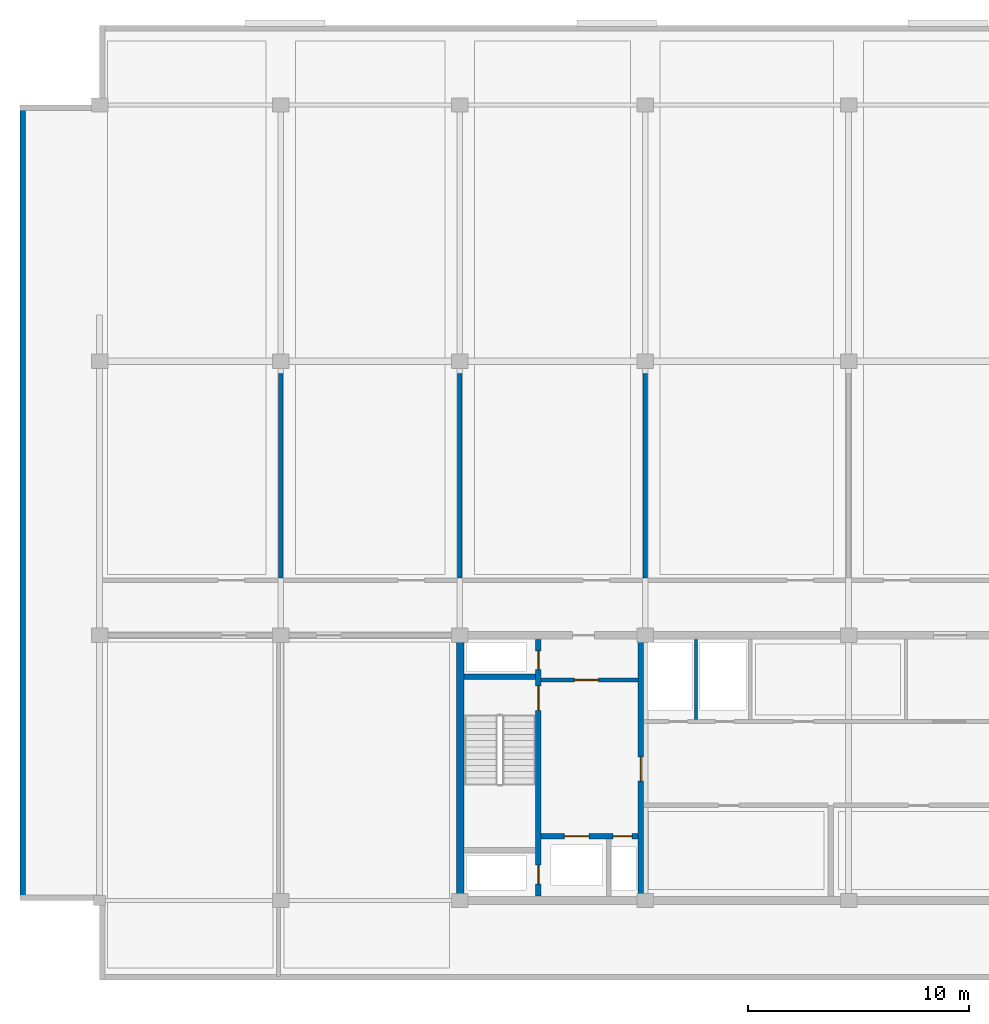
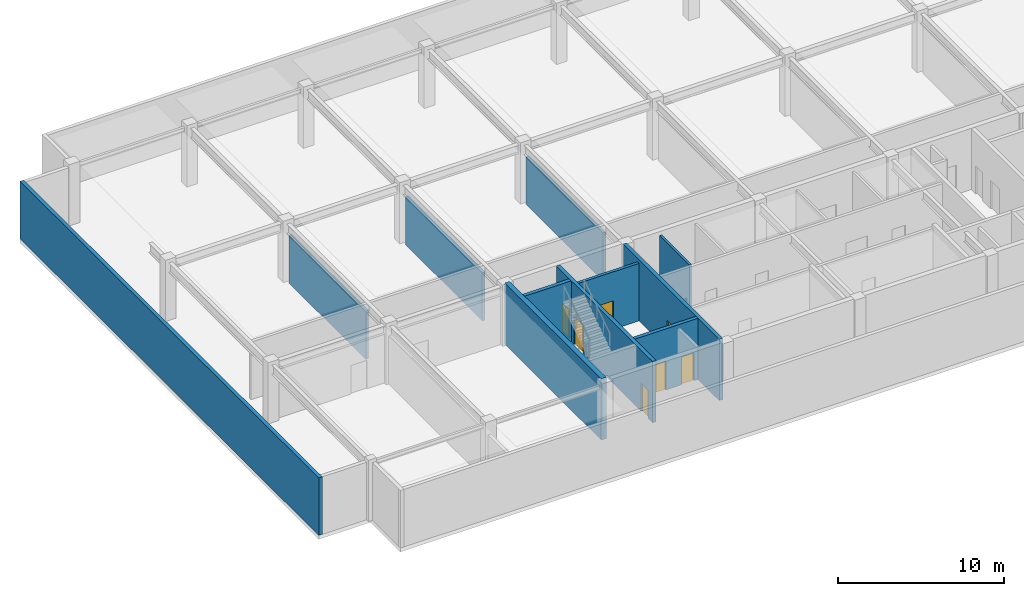
# One storey, part 3 of 9: 11 walls, 7 doors, 7 openings.
"""IFC4 building model written with IfcOpenShell, lengths in metres."""

import ifcopenshell
import ifcopenshell.guid

model = None  # the IFC model being written
_history = None  # IfcOwnerHistory: only IFC2X3 demands one
_inside = {}  # id of a spatial element -> (the spatial element, [elements in it])
_under = {}  # id of a project, library or spatial element -> (it, [spatial elements below it])
_declared = {}  # id of a project -> (the project, [libraries it declares])
_typed = {}  # id of a type object -> (the type object, [elements of that type])
_made_of = {}  # id of a material, layer set ... -> (it, [elements and type objects made of it])


def new_model(schema):
    """Start an empty IFC model of exactly this schema.

    Asked for "IFC4X3", IfcOpenShell would pick the latest addendum, in which some entities
    have other attributes; the version numbers below select the first issue.
    IFC2X3 requires an IfcOwnerHistory on every rooted entity: one is made here for all.
    """
    global model, _history
    if schema == "IFC4X3":
        model = ifcopenshell.file(schema_version=(4, 3, 0, 0))
    else:
        model = ifcopenshell.file(schema=schema)
    _inside.clear()
    _under.clear()
    _declared.clear()
    _typed.clear()
    _made_of.clear()
    _history = None
    if model.schema == "IFC2X3":
        org = make("IfcOrganization", Name="unknown")
        user = make(
            "IfcPersonAndOrganization",
            ThePerson=make("IfcPerson", FamilyName="unknown"),
            TheOrganization=org,
        )
        app = make(
            "IfcApplication",
            ApplicationDeveloper=org,
            Version="unknown",
            ApplicationFullName="unknown",
            ApplicationIdentifier="unknown",
        )
        _history = make(
            "IfcOwnerHistory",
            OwningUser=user,
            OwningApplication=app,
            ChangeAction="ADDED",
            CreationDate=0,
        )
    return model


def make(cls, **values):
    """One entity of the class cls with the attributes given. An attribute that is None is left unset."""
    return model.create_entity(
        cls, **{name: value for name, value in values.items() if value is not None}
    )


def rooted(cls, **values):
    """An entity with a GlobalId (a new one), such as an element, a storey or a relation."""
    return make(cls, GlobalId=ifcopenshell.guid.new(), OwnerHistory=_history, **values)


def si_unit(unit_type, name, prefix=None):
    """IfcSIUnit, for example si_unit("LENGTHUNIT", "METRE", prefix="MILLI")."""
    return make("IfcSIUnit", UnitType=unit_type, Prefix=prefix, Name=name)


def assignment(units):
    """IfcUnitAssignment: the units of a project."""
    return None if units is None else make("IfcUnitAssignment", Units=units)


def point(xyz):
    """IfcCartesianPoint."""
    return None if xyz is None else make("IfcCartesianPoint", Coordinates=xyz)


def direction(xyz):
    """IfcDirection."""
    return None if xyz is None else make("IfcDirection", DirectionRatios=xyz)


def frame(location, z_axis=None, x_axis=None):
    """IfcAxis2Placement3D, a coordinate frame: its origin and axes. An axis left out is left unset."""
    return make(
        "IfcAxis2Placement3D",
        Location=point(location),
        Axis=direction(z_axis),
        RefDirection=direction(x_axis),
    )


def frame_2d(location, x_axis=None):
    """IfcAxis2Placement2D, a coordinate frame in the plane: its origin and x axis."""
    return make(
        "IfcAxis2Placement2D", Location=point(location), RefDirection=direction(x_axis)
    )


def origin():
    """The frame at (0, 0, 0) with its axes left unset."""
    return frame((0.0, 0.0, 0.0))


def place(relative_to, where):
    """IfcLocalPlacement: puts the frame where relative to a parent placement (None: the world)."""
    return make(
        "IfcLocalPlacement", PlacementRelTo=relative_to, RelativePlacement=where
    )


def context(
    kind, dimensions, precision=None, world=None, true_north=None, identifier=None
):
    """IfcGeometricRepresentationContext, for example the 3D "Model" context."""
    return make(
        "IfcGeometricRepresentationContext",
        ContextIdentifier=identifier,
        ContextType=kind,
        CoordinateSpaceDimension=dimensions,
        Precision=precision,
        WorldCoordinateSystem=world,
        TrueNorth=true_north,
    )


def subcontext(parent, identifier, kind, view, scale=None):
    """IfcGeometricRepresentationSubContext, for example "Body" below "Model"."""
    return make(
        "IfcGeometricRepresentationSubContext",
        ContextIdentifier=identifier,
        ContextType=kind,
        ParentContext=parent,
        TargetScale=scale,
        TargetView=view,
    )


def project(units=None, contexts=None):
    """IfcProject with its units and contexts."""
    return rooted(
        "IfcProject",
        Name="project",
        RepresentationContexts=contexts,
        UnitsInContext=assignment(units),
    )


def spatial(cls, under=None, at=None, **own):
    """A site, building, storey or space (cls), placed at a placement, below another one or the project."""
    s = rooted(cls, ObjectPlacement=at, **own)
    if under is not None:
        _under.setdefault(under.id(), (under, []))[1].append(s)
    return s


def profile(cls, at=None, kind="AREA", **sizes):
    """A parametric profile (cls). Its sizes go by their IFC names, for example OverallWidth=200.0."""
    return make(cls, ProfileType=kind, Position=at, **sizes)


def rectangle(**sizes):
    """IfcRectangleProfileDef."""
    return profile("IfcRectangleProfileDef", **sizes)


def extrude(swept, where, along, depth):
    """IfcExtrudedAreaSolid: the profile swept, set in the frame where, extruded along a direction by depth."""
    return make(
        "IfcExtrudedAreaSolid",
        SweptArea=swept,
        Position=where,
        ExtrudedDirection=direction(along),
        Depth=depth,
    )


def shape(context_of_items, identifier, shape_type, items):
    """IfcShapeRepresentation: the items that make up one representation, for example the "Body"."""
    return make(
        "IfcShapeRepresentation",
        ContextOfItems=context_of_items,
        RepresentationIdentifier=identifier,
        RepresentationType=shape_type,
        Items=items,
    )


def material(Name=None, Category=None):
    """IfcMaterial."""
    return make("IfcMaterial", Name=Name, Category=Category)


def layer(
    of_material, thickness, ventilated=None, Name=None, Category=None, Priority=None
):
    """IfcMaterialLayer: one layer of a wall or slab, of a material (None: an air gap)."""
    return make(
        "IfcMaterialLayer",
        Material=of_material,
        LayerThickness=thickness,
        IsVentilated=ventilated,
        Name=Name,
        Category=Category,
        Priority=Priority,
    )


def layer_set(layers, Name=None):
    """IfcMaterialLayerSet."""
    return make("IfcMaterialLayerSet", MaterialLayers=layers, LayerSetName=Name)


def made_of(thing, what):
    """Note that an element or type object is made of a material, layer set ...; save() writes the relation."""
    if what is not None:
        _made_of.setdefault(what.id(), (what, []))[1].append(thing)
    return thing


def type_object(cls, material=None, **own):
    """A type object (cls), such as IfcWallType, which elements share."""
    return made_of(rooted(cls, **own), material)


def element(
    cls,
    number,
    at=None,
    inside=None,
    cuts=None,
    type_object=None,
    material=None,
    context=None,
    identifier="Body",
    shape_type=None,
    held_by="IfcProductDefinitionShape",
    body=None,
    shapes=None,
    **own,
):
    """One element of the class cls, such as IfcWall. Its Tag is "e" and its number.

    at: its placement. inside: the storey or other place that contains it. cuts: it is an
    opening in that element (IfcRelVoidsElement). A single representation is given by context,
    identifier, shape_type and body (its items); several are given by shapes. held_by: the class
    of the entity that holds the representations. save() writes the other relations.
    """
    e = rooted(cls, Tag="e%d" % number, ObjectPlacement=at, **own)
    if body is not None:
        shapes = [shape(context, identifier, shape_type, body)]
    if shapes is not None:
        e.Representation = make(held_by, Representations=shapes)
    if inside is not None:
        _inside.setdefault(inside.id(), (inside, []))[1].append(e)
    if cuts is not None:
        rooted(
            "IfcRelVoidsElement", RelatingBuildingElement=cuts, RelatedOpeningElement=e
        )
    if type_object is not None:
        _typed.setdefault(type_object.id(), (type_object, []))[1].append(e)
    return made_of(e, material)


def fill(opening, filler):
    """IfcRelFillsElement: the door or window that sits in an opening."""
    return rooted(
        "IfcRelFillsElement",
        RelatingOpeningElement=opening,
        RelatedBuildingElement=filler,
    )


def aggregate(whole, parts):
    """IfcRelAggregates: a whole, such as a stair, and the parts it consists of."""
    return rooted("IfcRelAggregates", RelatingObject=whole, RelatedObjects=parts)


def save(model, path):
    """Write the relations noted so far, then the file.

    IfcRelAggregates (storeys below a building ...), IfcRelContainedInSpatialStructure (elements
    in a storey), IfcRelDefinesByType, IfcRelAssociatesMaterial and IfcRelDeclares: one each for
    every whole, place, type object, material and project.
    """
    for whole, parts in _under.values():
        aggregate(whole, parts)
    for where, things in _inside.values():
        rooted(
            "IfcRelContainedInSpatialStructure",
            RelatedElements=things,
            RelatingStructure=where,
        )
    for kind, things in _typed.values():
        rooted("IfcRelDefinesByType", RelatedObjects=things, RelatingType=kind)
    for what, things in _made_of.values():
        rooted("IfcRelAssociatesMaterial", RelatedObjects=things, RelatingMaterial=what)
    for by, libraries in _declared.values():
        rooted("IfcRelDeclares", RelatingContext=by, RelatedDefinitions=libraries)
    model.write(path)


model = new_model("IFC4")

# Units and contexts
model_context = context("Model", 3, precision=1e-05, world=origin(), true_north=direction((0.0, 1.0)))
body_context = subcontext(model_context, "Body", "Model", "MODEL_VIEW")
ifc_project = project(units=[si_unit("LENGTHUNIT", "METRE"), si_unit("AREAUNIT", "SQUARE_METRE"), si_unit("VOLUMEUNIT", "CUBIC_METRE"), si_unit("PLANEANGLEUNIT", "RADIAN"), si_unit("MASSUNIT", "GRAM", prefix="KILO")], contexts=[model_context])

# Site, building, storey
site_placement = place(None, origin())
site = spatial("IfcSite", under=ifc_project, at=site_placement, CompositionType="ELEMENT")
building_placement = place(site_placement, origin())
building = spatial("IfcBuilding", under=site, at=building_placement, Name="Korimba Cascade Residences", CompositionType="ELEMENT")
storey_placement = place(building_placement, frame((0.0, 0.0, 259.699951171875)))
storey = spatial("IfcBuildingStorey", under=building, at=storey_placement, Name="L75", CompositionType="ELEMENT", Elevation=259.699951171875)

# Walls
ifc_material_1 = material(Name="Precast concrete C40/50", Category="concrete")
ifc_layer_1 = layer(ifc_material_1, 0.25)
ifc_layer_set_1 = layer_set([ifc_layer_1], Name="Precast concrete C40/50")
wall_type_1 = type_object("IfcWallType", Name="EW-PLNT-250", PredefinedType="SHEAR", material=ifc_layer_set_1)
wall_1_placement = place(storey_placement, frame((56.324951171875, 91.199951171875, 0.0), z_axis=(0.0, 0.0, 1.0), x_axis=(0.0, -1.0, 0.0)))
element("IfcWall", 1, at=wall_1_placement, inside=storey, type_object=wall_type_1, Name="L75 T1 Perimeter Stone Wall E09", PredefinedType="SHEAR", context=body_context, shape_type="SweptSolid", body=[
    extrude(rectangle(XDim=36.0, YDim=0.25, at=frame_2d((18.0, 0.0))), origin(), (0.0, 0.0, 1.0), 4.22998046875),
])
ifc_material_2 = material(Name="Concrete C65/80", Category="concrete")
ifc_layer_2 = layer(ifc_material_2, 0.35009765625)
ifc_layer_set_2 = layer_set([ifc_layer_2], Name="Concrete C65/80")
wall_type_2 = type_object("IfcWallType", Name="WAL-CORE-350", PredefinedType="SHEAR", material=ifc_layer_set_2)
wall_2_placement = place(storey_placement, frame((76.125, 55.375, 0.0), z_axis=(0.0, 0.0, 1.0), x_axis=(0.0, 1.0, 0.0)))
element("IfcWall", 2, at=wall_2_placement, inside=storey, type_object=wall_type_2, Name="L75 Core Shear Wall CW-L75-T1-W", PredefinedType="SHEAR", context=body_context, shape_type="SweptSolid", body=[
    extrude(rectangle(XDim=11.64990234375, YDim=0.35009765625, at=frame_2d((5.824951171875, 0.0))), origin(), (0.0, 0.0, 1.0), 4.5),
])
ifc_material_3 = material(Name="Insulated Acoustic Stud Partition", Category="gypsum")
ifc_layer_3 = layer(ifc_material_3, 0.14990234375)
ifc_layer_set_3 = layer_set([ifc_layer_3], Name="Insulated Acoustic Stud Partition")
wall_type_3 = type_object("IfcWallType", Name="WAL-PART-150", PredefinedType="PARTITIONING", material=ifc_layer_set_3)
wall_3_placement = place(storey_placement, frame((86.800048828125, 63.39990234375, 0.0), z_axis=(0.0, 0.0, 1.0), x_axis=(0.0, 1.0, 0.0)))
element("IfcWall", 3, at=wall_3_placement, inside=storey, type_object=wall_type_3, Name="L75 Partition Wall CW-L75-T1-ERDIV", PredefinedType="PARTITIONING", context=body_context, shape_type="SweptSolid", body=[
    extrude(rectangle(XDim=3.60009765625, YDim=0.14990234375, at=frame_2d((1.800048828125, 0.0))), origin(), (0.0, 0.0, 1.0), 4.22998046875),
])

# Wall, opening, door
ifc_material_4 = material(Name="Concrete C40/50", Category="concrete")
ifc_layer_4 = layer(ifc_material_4, 0.199951171875)
ifc_layer_set_4 = layer_set([ifc_layer_4], Name="Concrete C40/50")
wall_type_4 = type_object("IfcWallType", Name="WAL-PART-200", PredefinedType="PARTITIONING", material=ifc_layer_set_4)
wall_4_placement = place(storey_placement, frame((79.7900390625, 65.179931640625, 0.0), z_axis=(0.0, 0.0, 1.0), x_axis=(1.0, 0.0, 0.0)))
wall_4 = element("IfcWall", 4, at=wall_4_placement, inside=storey, type_object=wall_type_4, Name="L75 Partition Wall CW-L75-T1-FFLN", PredefinedType="PARTITIONING", context=body_context, shape_type="SweptSolid", body=[
    extrude(rectangle(XDim=4.389892578125, YDim=0.199951171875, at=frame_2d((2.19482421875, 0.0))), origin(), (0.0, 0.0, 1.0), 4.22998046875),
])
opening_1_placement = place(wall_4_placement, frame((1.5, 0.0, 0.0)))
opening_1 = element("IfcOpeningElement", 5, at=opening_1_placement, cuts=wall_4, Name="Opening D-FD1", PredefinedType="OPENING", context=body_context, shape_type="SweptSolid", body=[
    extrude(rectangle(XDim=1.10009765625, YDim=2.10009765625, at=frame_2d((0.550048828125, 1.050048828125))), frame((0.0, 0.10986328125, 0.0), z_axis=(0.0, -1.0, 0.0), x_axis=(1.0, 0.0, 0.0)), (0.0, 0.0, 1.0), 0.219970703125),
])
ifc_material_5 = material(Name="Fire-Rated Steel Core Door", Category="steel")
door_type_1 = type_object("IfcDoorType", Name="DR-FD120-1100", OperationType="NOTDEFINED", PredefinedType="DOOR", material=ifc_material_5)
door_1_placement = place(opening_1_placement, origin())
door_1 = element("IfcDoor", 6, at=door_1_placement, inside=storey, type_object=door_type_1, Name="L75 West Firefighting Lobby Door", OperationType="SINGLE_SWING_RIGHT", OverallHeight=2.10009765625, OverallWidth=1.10009765625, PredefinedType="DOOR", context=body_context, shape_type="SweptSolid", body=[
    extrude(rectangle(XDim=1.10009765625, YDim=2.10009765625, at=frame_2d((0.550048828125, 1.050048828125))), frame((0.0, 0.02490234375, 0.0), z_axis=(0.0, -1.0, 0.0), x_axis=(1.0, 0.0, 0.0)), (0.0, 0.0, 1.0), 0.050048828125),
])
fill(opening_1, door_1)

# Walls
for number, where, z_axis, x_axis, name in (
    (7, (68.0, 69.800048828125, 0.0), (0.0, 0.0, 1.0), (0.0, 1.0, 0.0), "L75 Partition Wall WAL-L75-T1-PD1"),
    (8, (76.10009765625, 69.800048828125, 0.0), (0.0, 0.0, 1.0), (0.0, 1.0, 0.0), "L75 Partition Wall WAL-L75-T1-PD2"),
    (9, (84.5, 69.800048828125, 0.0), (0.0, 0.0, 1.0), (0.0, 1.0, 0.0), "L75 Partition Wall WAL-L75-T1-PD3"),
):
    element("IfcWall", number, at=place(storey_placement, frame(where, z_axis=z_axis, x_axis=x_axis)), inside=storey, type_object=wall_type_4, Name=name, PredefinedType="PARTITIONING", context=body_context, shape_type="SweptSolid", body=[
        extrude(rectangle(XDim=9.25, YDim=0.199951171875, at=frame_2d((4.625, 0.0))), origin(), (0.0, 0.0, 1.0), 3.537109375),
    ])

# Wall, openings, doors
ifc_material_6 = material(Name="Concrete C50/60", Category="concrete")
ifc_layer_5 = layer(ifc_material_6, 0.25)
ifc_layer_set_5 = layer_set([ifc_layer_5], Name="Concrete C50/60")
wall_type_5 = type_object("IfcWallType", Name="WAL-SHAFT-250", PredefinedType="SHEAR", material=ifc_layer_set_5)
wall_5_placement = place(storey_placement, frame((79.6650390625, 55.39990234375, 0.0), z_axis=(0.0, 0.0, 1.0), x_axis=(0.0, 1.0, 0.0)))
wall_5 = element("IfcWall", 10, at=wall_5_placement, inside=storey, type_object=wall_type_5, Name="L75 Core Shear Wall CW-L75-T1-STW1E", PredefinedType="SHEAR", context=body_context, shape_type="SweptSolid", body=[
    extrude(rectangle(XDim=11.60009765625, YDim=0.25, at=frame_2d((5.800048828125, 0.0))), origin(), (0.0, 0.0, 1.0), 4.5),
])
opening_2_placement = place(wall_5_placement, frame((0.550048828125, 0.0, 0.0)))
opening_2 = element("IfcOpeningElement", 11, at=opening_2_placement, cuts=wall_5, Name="Opening D-RS1", PredefinedType="OPENING", context=body_context, shape_type="SweptSolid", body=[
    extrude(rectangle(XDim=0.85009765625, YDim=2.050048828125, at=frame_2d((0.425048828125, 1.02490234375))), frame((0.0, 0.135009765625, 0.0), z_axis=(0.0, -1.0, 0.0), x_axis=(1.0, 0.0, 0.0)), (0.0, 0.0, 1.0), 0.27001953125),
])
opening_3_placement = place(wall_5_placement, frame((8.39990234375, 0.0, 0.0)))
opening_3 = element("IfcOpeningElement", 12, at=opening_3_placement, cuts=wall_5, Name="Opening D-FD1", PredefinedType="OPENING", context=body_context, shape_type="SweptSolid", body=[
    extrude(rectangle(XDim=1.10009765625, YDim=2.10009765625, at=frame_2d((0.550048828125, 1.050048828125))), frame((0.0, 0.135009765625, 0.0), z_axis=(0.0, -1.0, 0.0), x_axis=(1.0, 0.0, 0.0)), (0.0, 0.0, 1.0), 0.27001953125),
])
opening_4_placement = place(wall_5_placement, frame((10.25, 0.0, 0.0)))
opening_4 = element("IfcOpeningElement", 13, at=opening_4_placement, cuts=wall_5, Name="Opening D-RS1", PredefinedType="OPENING", context=body_context, shape_type="SweptSolid", body=[
    extrude(rectangle(XDim=0.85009765625, YDim=2.050048828125, at=frame_2d((0.425048828125, 1.02490234375))), frame((0.0, 0.135009765625, 0.0), z_axis=(0.0, -1.0, 0.0), x_axis=(1.0, 0.0, 0.0)), (0.0, 0.0, 1.0), 0.27001953125),
])
door_2_placement = place(opening_3_placement, origin())
door_2 = element("IfcDoor", 14, at=door_2_placement, inside=storey, type_object=door_type_1, Name="L75 Fire Stair ST-W1 Door", OperationType="SINGLE_SWING_LEFT", OverallHeight=2.10009765625, OverallWidth=1.10009765625, PredefinedType="DOOR", context=body_context, shape_type="SweptSolid", body=[
    extrude(rectangle(XDim=1.10009765625, YDim=2.10009765625, at=frame_2d((0.550048828125, 1.050048828125))), frame((0.0, 0.02490234375, 0.0), z_axis=(0.0, -1.0, 0.0), x_axis=(1.0, 0.0, 0.0)), (0.0, 0.0, 1.0), 0.050048828125),
])
fill(opening_3, door_2)
ifc_material_7 = material(Name="Fire-Rated Steel Riser Access Door", Category="steel")
door_type_2 = type_object("IfcDoorType", Name="DR-FD60-850", OperationType="NOTDEFINED", PredefinedType="DOOR", material=ifc_material_7)
door_3_placement = place(opening_2_placement, origin())
door_3 = element("IfcDoor", 15, at=door_3_placement, inside=storey, type_object=door_type_2, Name="L75 Smoke Riser Access Door", OperationType="SINGLE_SWING_RIGHT", OverallHeight=2.050048828125, OverallWidth=0.85009765625, PredefinedType="DOOR", context=body_context, shape_type="SweptSolid", body=[
    extrude(rectangle(XDim=0.85009765625, YDim=2.050048828125, at=frame_2d((0.425048828125, 1.02490234375))), frame((0.0, 0.02490234375, 0.0), z_axis=(0.0, -1.0, 0.0), x_axis=(1.0, 0.0, 0.0)), (0.0, 0.0, 1.0), 0.050048828125),
])
fill(opening_2, door_3)
door_4_placement = place(opening_4_placement, origin())
door_4 = element("IfcDoor", 16, at=door_4_placement, inside=storey, type_object=door_type_2, Name="L75 Hydrant Riser Access Door", OperationType="SINGLE_SWING_RIGHT", OverallHeight=2.050048828125, OverallWidth=0.85009765625, PredefinedType="DOOR", context=body_context, shape_type="SweptSolid", body=[
    extrude(rectangle(XDim=0.85009765625, YDim=2.050048828125, at=frame_2d((0.425048828125, 1.02490234375))), frame((0.0, 0.02490234375, 0.0), z_axis=(0.0, -1.0, 0.0), x_axis=(1.0, 0.0, 0.0)), (0.0, 0.0, 1.0), 0.050048828125),
])
fill(opening_4, door_4)

# Wall
wall_6_placement = place(storey_placement, frame((76.300048828125, 65.324951171875, 0.0), z_axis=(0.0, 0.0, 1.0), x_axis=(1.0, 0.0, 0.0)))
element("IfcWall", 17, at=wall_6_placement, inside=storey, type_object=wall_type_5, Name="L75 Core Shear Wall CW-L75-T1-STW1N", PredefinedType="SHEAR", context=body_context, shape_type="SweptSolid", body=[
    extrude(rectangle(XDim=3.239990234375, YDim=0.25, at=frame_2d((1.6201171875, 0.0))), origin(), (0.0, 0.0, 1.0), 4.5),
])

# Wall, openings, doors
wall_7_placement = place(storey_placement, frame((79.7900390625, 58.10009765625, 0.0), z_axis=(0.0, 0.0, 1.0), x_axis=(1.0, 0.0, 0.0)))
wall_7 = element("IfcWall", 18, at=wall_7_placement, inside=storey, type_object=wall_type_5, Name="L75 Core Shear Wall CW-L75-T1-FFLS", PredefinedType="SHEAR", context=body_context, shape_type="SweptSolid", body=[
    extrude(rectangle(XDim=4.389892578125, YDim=0.25, at=frame_2d((2.19482421875, 0.0))), origin(), (0.0, 0.0, 1.0), 4.5),
])
opening_5_placement = place(wall_7_placement, frame((1.050048828125, 0.0, 0.0)))
opening_5 = element("IfcOpeningElement", 19, at=opening_5_placement, cuts=wall_7, Name="Opening LD-01", PredefinedType="OPENING", context=body_context, shape_type="SweptSolid", body=[
    extrude(rectangle(XDim=1.1201171875, YDim=2.1201171875, at=frame_2d((0.56005859375, 1.06005859375))), frame((0.0, 0.135009765625, 0.0), z_axis=(0.0, -1.0, 0.0), x_axis=(1.0, 0.0, 0.0)), (0.0, 0.0, 1.0), 0.27001953125),
])
opening_6_placement = place(wall_7_placement, frame((3.260009765625, 0.0, 0.0)))
opening_6 = element("IfcOpeningElement", 20, at=opening_6_placement, cuts=wall_7, Name="Opening D-RS1", PredefinedType="OPENING", context=body_context, shape_type="SweptSolid", body=[
    extrude(rectangle(XDim=0.85009765625, YDim=2.050048828125, at=frame_2d((0.425048828125, 1.02490234375))), frame((0.0, 0.135009765625, 0.0), z_axis=(0.0, -1.0, 0.0), x_axis=(1.0, 0.0, 0.0)), (0.0, 0.0, 1.0), 0.27001953125),
])
door_5_placement = place(opening_6_placement, origin())
door_5 = element("IfcDoor", 21, at=door_5_placement, inside=storey, type_object=door_type_2, Name="L75 Pressurisation Riser Door", OperationType="SINGLE_SWING_LEFT", OverallHeight=2.050048828125, OverallWidth=0.85009765625, PredefinedType="DOOR", context=body_context, shape_type="SweptSolid", body=[
    extrude(rectangle(XDim=0.85009765625, YDim=2.050048828125, at=frame_2d((0.425048828125, 1.02490234375))), frame((0.0, 0.02490234375, 0.0), z_axis=(0.0, -1.0, 0.0), x_axis=(1.0, 0.0, 0.0)), (0.0, 0.0, 1.0), 0.050048828125),
])
fill(opening_6, door_5)
ifc_material_8 = material(Name="Stainless Steel Lift Landing Sliding Door", Category="steel")
door_type_3 = type_object("IfcDoorType", Name="DR-LIFT-1100", OperationType="NOTDEFINED", PredefinedType="DOOR", material=ifc_material_8)
door_6_placement = place(opening_5_placement, origin())
door_6 = element("IfcDoor", 22, at=door_6_placement, inside=storey, type_object=door_type_3, Name="L75 Firefighting Lift Landing Door FFL-W1", OperationType="SLIDING_TO_LEFT", OverallHeight=2.1201171875, OverallWidth=1.1201171875, PredefinedType="DOOR", context=body_context, shape_type="SweptSolid", body=[
    extrude(rectangle(XDim=1.1201171875, YDim=2.1201171875, at=frame_2d((0.56005859375, 1.06005859375))), frame((0.0, 0.02490234375, 0.0), z_axis=(0.0, -1.0, 0.0), x_axis=(1.0, 0.0, 0.0)), (0.0, 0.0, 1.0), 0.050048828125),
])
fill(opening_5, door_6)

# Wall, opening, door
wall_8_placement = place(storey_placement, frame((84.300048828125, 55.39990234375, 0.0), z_axis=(0.0, 0.0, 1.0), x_axis=(0.0, 1.0, 0.0)))
wall_8 = element("IfcWall", 23, at=wall_8_placement, inside=storey, type_object=wall_type_5, Name="L75 Core Shear Wall CW-L75-T1-FFLE", PredefinedType="SHEAR", context=body_context, shape_type="SweptSolid", body=[
    extrude(rectangle(XDim=11.60009765625, YDim=0.25, at=frame_2d((5.800048828125, 0.0))), origin(), (0.0, 0.0, 1.0), 4.5),
])
opening_7_placement = place(wall_8_placement, frame((5.199951171875, 0.0, 0.0)))
opening_7 = element("IfcOpeningElement", 24, at=opening_7_placement, cuts=wall_8, Name="Opening D-FD1", PredefinedType="OPENING", context=body_context, shape_type="SweptSolid", body=[
    extrude(rectangle(XDim=1.10009765625, YDim=2.10009765625, at=frame_2d((0.550048828125, 1.050048828125))), frame((0.0, 0.135009765625, 0.0), z_axis=(0.0, -1.0, 0.0), x_axis=(1.0, 0.0, 0.0)), (0.0, 0.0, 1.0), 0.27001953125),
])
door_7_placement = place(opening_7_placement, origin())
door_7 = element("IfcDoor", 25, at=door_7_placement, inside=storey, type_object=door_type_1, Name="L75 Firefighting Lobby to Lift Lobby Door", OperationType="SINGLE_SWING_LEFT", OverallHeight=2.10009765625, OverallWidth=1.10009765625, PredefinedType="DOOR", context=body_context, shape_type="SweptSolid", body=[
    extrude(rectangle(XDim=1.10009765625, YDim=2.10009765625, at=frame_2d((0.550048828125, 1.050048828125))), frame((0.0, 0.02490234375, 0.0), z_axis=(0.0, -1.0, 0.0), x_axis=(1.0, 0.0, 0.0)), (0.0, 0.0, 1.0), 0.050048828125),
])
fill(opening_7, door_7)

save(model, "model.ifc")
